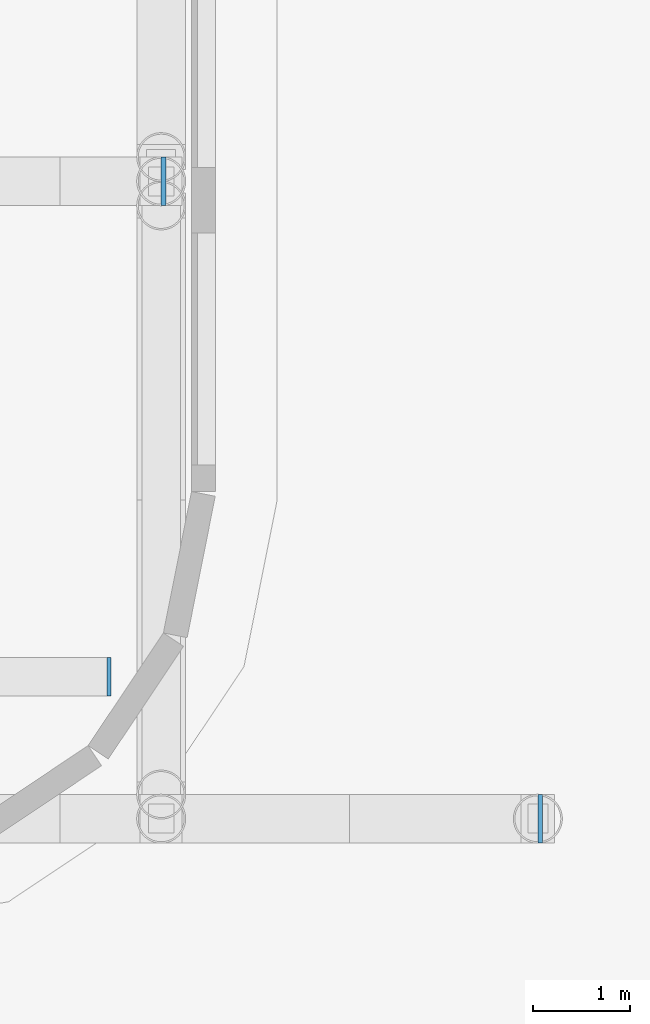
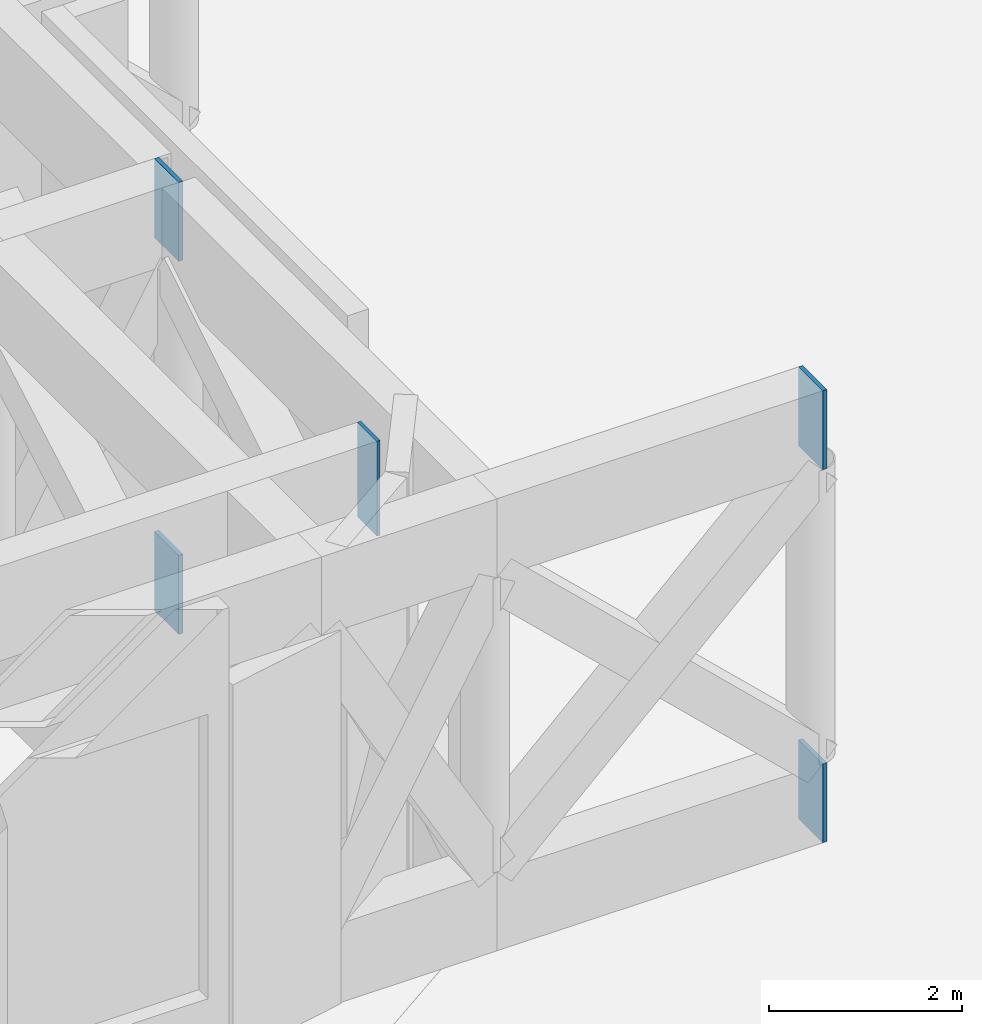
# One storey, part 6 of 20: 5 plates.
"""IFC4 building model written with IfcOpenShell, lengths in metres."""

from ifc_helpers import new_model, si_unit, direction, frame, origin, origin_2d, place, context, subcontext, project, spatial, rectangle, extrude, material, layer, layer_set, type_object, element, save


model = new_model("IFC4")

# Units and contexts
model_context = context("Model", 3, precision=1e-05, world=origin(), true_north=direction((0.0, 1.0)))
body_context = subcontext(model_context, "Body", "Model", "MODEL_VIEW")
ifc_project = project(units=[si_unit("LENGTHUNIT", "METRE"), si_unit("AREAUNIT", "SQUARE_METRE"), si_unit("VOLUMEUNIT", "CUBIC_METRE"), si_unit("PLANEANGLEUNIT", "RADIAN"), si_unit("MASSUNIT", "GRAM", prefix="KILO")], contexts=[model_context])

# Site, building, storey
site_placement = place(None, origin())
site = spatial("IfcSite", under=ifc_project, at=site_placement, CompositionType="ELEMENT")
building_placement = place(site_placement, origin())
building = spatial("IfcBuilding", under=site, at=building_placement, Name="Torana Hotel and Residences", CompositionType="ELEMENT")
storey_placement = place(building_placement, frame((0.0, 0.0, 18.0)))
storey = spatial("IfcBuildingStorey", under=building, at=storey_placement, Name="L03", CompositionType="ELEMENT", Elevation=18.0)

# Plates
ifc_material_1 = material(Name="Steel S355", Category="steel")
ifc_layer_1 = layer(ifc_material_1, 0.0400390625)
ifc_layer_set_1 = layer_set([ifc_layer_1], Name="STEEL END PLATE 40")
plate_type_1 = type_object("IfcPlateType", Name="STEEL END PLATE 40", PredefinedType="SHEET", material=ifc_layer_set_1)
plate_placement = place(storey_placement, frame((31.56005859375, -26.72998046875, 4.52001953125), z_axis=(0.0, 0.0, 1.0), x_axis=(1.0, 0.0, 0.0)))
element("IfcPlate", 1, at=plate_placement, inside=storey, type_object=plate_type_1, Name="End plate L03", PredefinedType="SHEET", context=body_context, shape_type="SweptSolid", body=[
    extrude(rectangle(XDim=0.0400390625, YDim=0.39990234375, at=origin_2d()), origin(), (0.0, 0.0, 1.0), 1.199951171875),
])
ifc_material_2 = material(Name="Steel S355", Category="steel")
ifc_layer_2 = layer(ifc_material_2, 0.050048828125)
ifc_layer_set_2 = layer_set([ifc_layer_2], Name="STEEL END PLATE 50")
plate_type_2 = type_object("IfcPlateType", Name="STEEL END PLATE 50", PredefinedType="SHEET", material=ifc_layer_set_2)
for number, where, z_axis, x_axis, name in (
    (2, (36.02490234375, -28.199951171875, 0.0), (0.0, 0.0, 1.0), (1.0, 0.0, 0.0), "End plate L03"),
    (3, (36.02490234375, -28.199951171875, 4.719970703125), (0.0, 0.0, 1.0), (1.0, 0.0, 0.0), "End plate L03"),
    (4, (32.125, -21.60009765625, 0.0), (0.0, 0.0, 1.0), (1.0, 0.0, 0.0), "End plate L03"),
    (5, (32.125, -21.60009765625, 4.719970703125), (0.0, 0.0, 1.0), (1.0, 0.0, 0.0), "End plate L03"),
):
    element("IfcPlate", number, at=place(storey_placement, frame(where, z_axis=z_axis, x_axis=x_axis)), inside=storey, type_object=plate_type_2, Name=name, PredefinedType="SHEET", context=body_context, shape_type="SweptSolid", body=[
        extrude(rectangle(XDim=0.050048828125, YDim=0.5, at=origin_2d()), origin(), (0.0, 0.0, 1.0), 1.0),
    ])

save(model, "model.ifc")
